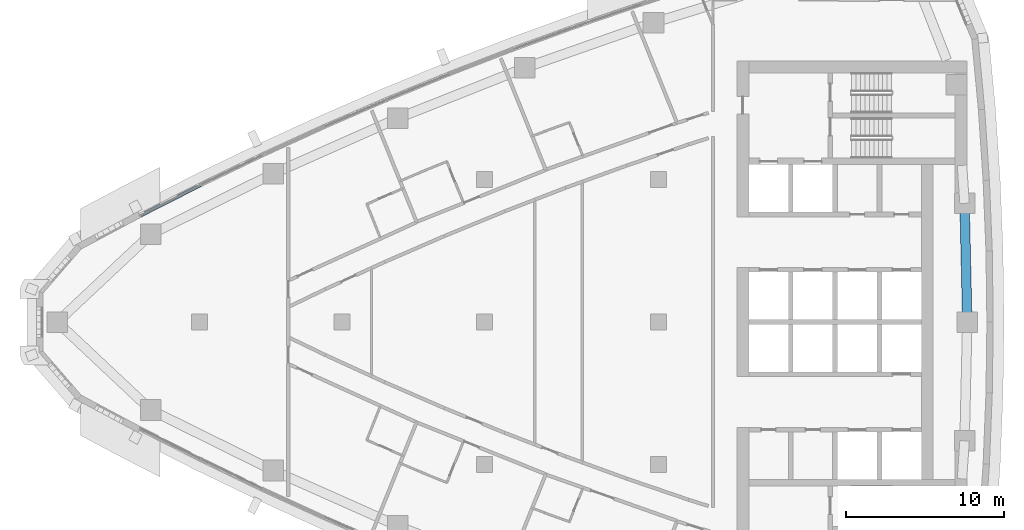
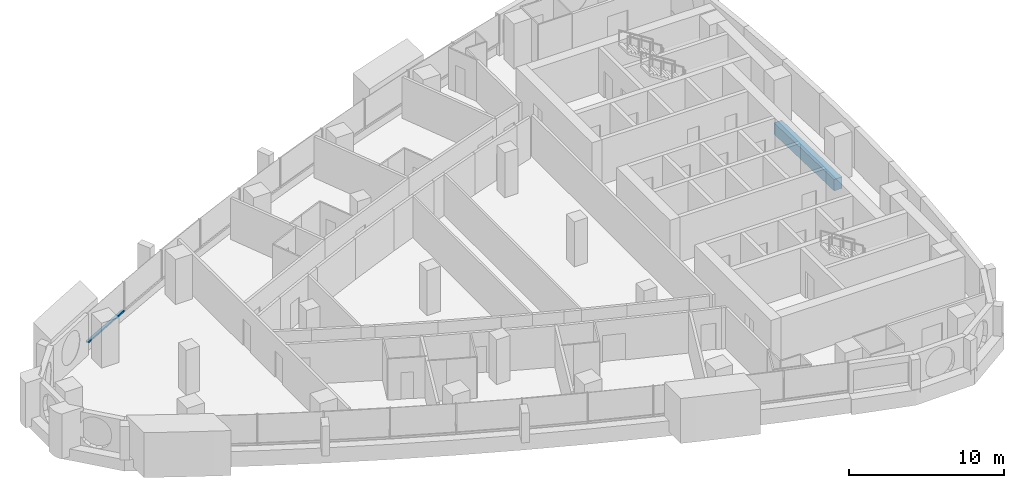
# One storey, part 5 of 17: 1 beam, 1 member, 1 element without a shape of its own.
"""IFC4 building model written with IfcOpenShell, lengths in metres."""

from ifc_helpers import new_model, si_unit, direction, frame, origin, origin_2d, place, context, subcontext, project, spatial, rectangle, extrude, material, layer, layer_set, material_profile, profile_set, type_object, element, aggregate, save


model = new_model("IFC4")

# Units and contexts
model_context = context("Model", 3, precision=1e-05, world=origin(), true_north=direction((0.0, 1.0)))
body_context = subcontext(model_context, "Body", "Model", "MODEL_VIEW")
ifc_project = project(units=[si_unit("LENGTHUNIT", "METRE"), si_unit("AREAUNIT", "SQUARE_METRE"), si_unit("VOLUMEUNIT", "CUBIC_METRE"), si_unit("PLANEANGLEUNIT", "RADIAN"), si_unit("MASSUNIT", "GRAM", prefix="KILO")], contexts=[model_context])

# Site, building, storey
site_placement = place(None, origin())
site = spatial("IfcSite", under=ifc_project, at=site_placement, CompositionType="ELEMENT")
building_placement = place(site_placement, origin())
building = spatial("IfcBuilding", under=site, at=building_placement, Name="Ostrand Prow Hotel Tower", CompositionType="ELEMENT")
storey_placement = place(building_placement, frame((0.0, 0.0, 193.25)))
storey = spatial("IfcBuildingStorey", under=building, at=storey_placement, Name="L48", CompositionType="ELEMENT", Elevation=193.25)

# Beam
ifc_material_1 = material(Name="Concrete C60/75", Category="concrete")
ifc_material_profile_1 = material_profile(ifc_material_1, rectangle(XDim=0.60009765625, YDim=0.89990234375, at=origin_2d()), Name="RC 600x900")
ifc_profile_set_1 = profile_set([ifc_material_profile_1], Name="Concrete C60/75")
beam_type = type_object("IfcBeamType", Name="Edge beam 600x900 C60/75", PredefinedType="SPANDREL", material=ifc_profile_set_1)
beam_placement = place(storey_placement, frame((64.5, 0.0, -0.75), z_axis=(-0.022620118241, 0.999744132391, 0.0), x_axis=(-0.999744132391, -0.022620118241, 0.0)))
element("IfcBeam", 1, at=beam_placement, inside=storey, type_object=beam_type, Name="Edge beam B3-B4", PredefinedType="SPANDREL", context=body_context, shape_type="SweptSolid", body=[
    extrude(rectangle(XDim=0.60009765625, YDim=0.89990234375, at=origin_2d()), origin(), (0.0, 0.0, 1.0), 7.501220703125),
])

# Curtain wall, member
ifc_material_2 = material(Name="Insulated glass in bronze anodised frame", Category="glass")
ifc_layer = layer(ifc_material_2, 0.199951171875)
ifc_layer_set = layer_set([ifc_layer], Name="Insulated glass in bronze anodised frame")
curtain_wall_type = type_object("IfcCurtainWallType", Name="Strip curtain wall, fritted glass over bronze spandrel", PredefinedType="NOTDEFINED", material=ifc_layer_set)
curtain_wall_placement = place(storey_placement, origin())
curtain_wall = element("IfcCurtainWall", 2, at=curtain_wall_placement, inside=storey, type_object=curtain_wall_type, Name="CW1 run CWN5", PredefinedType="NOTDEFINED")
ifc_material_3 = material(Name="Bronze anodised aluminium", Category="aluminium")
ifc_material_profile_2 = material_profile(ifc_material_3, rectangle(XDim=0.199951171875, YDim=0.1201171875, at=origin_2d()), Name="Transom 120x200 bronze anodised aluminium")
ifc_profile_set_2 = profile_set([ifc_material_profile_2], Name="Bronze anodised aluminium")
member_type = type_object("IfcMemberType", Name="Transom 120x200 bronze anodised aluminium", PredefinedType="USERDEFINED", material=ifc_profile_set_2)
member_placement = place(storey_placement, frame((16.06787109375, 8.6474609375, 0.9599609375), z_axis=(-0.891672840777, -0.452680400526, 0.0), x_axis=(0.452680400526, -0.891672840777, 0.0)))
member = element("IfcMember", 3, at=member_placement, type_object=member_type, Name="CW1 transom 2.1", ObjectType="TRANSOM", PredefinedType="USERDEFINED", context=body_context, shape_type="SweptSolid", body=[
    extrude(rectangle(XDim=0.199951171875, YDim=0.1201171875, at=origin_2d()), origin(), (0.0, 0.0, 1.0), 4.2451171875),
])
aggregate(curtain_wall, [member])

save(model, "model.ifc")
